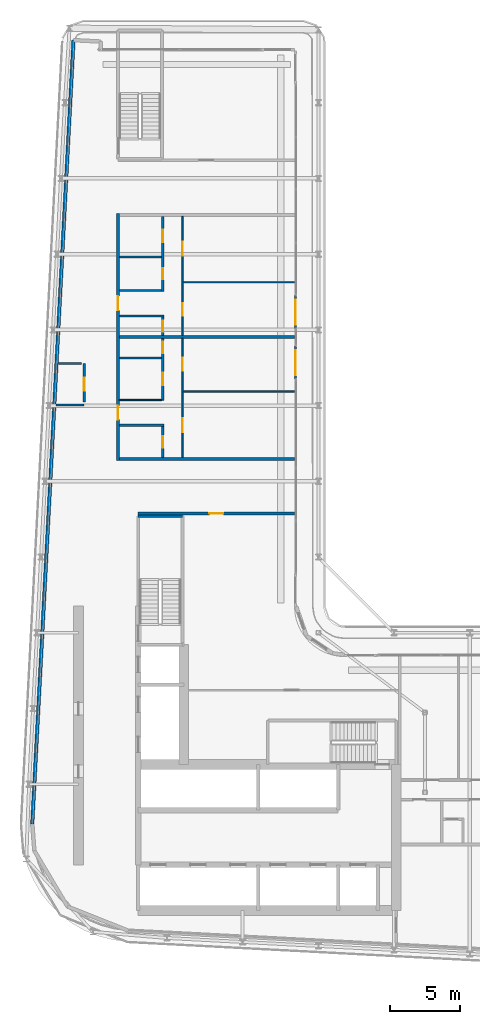
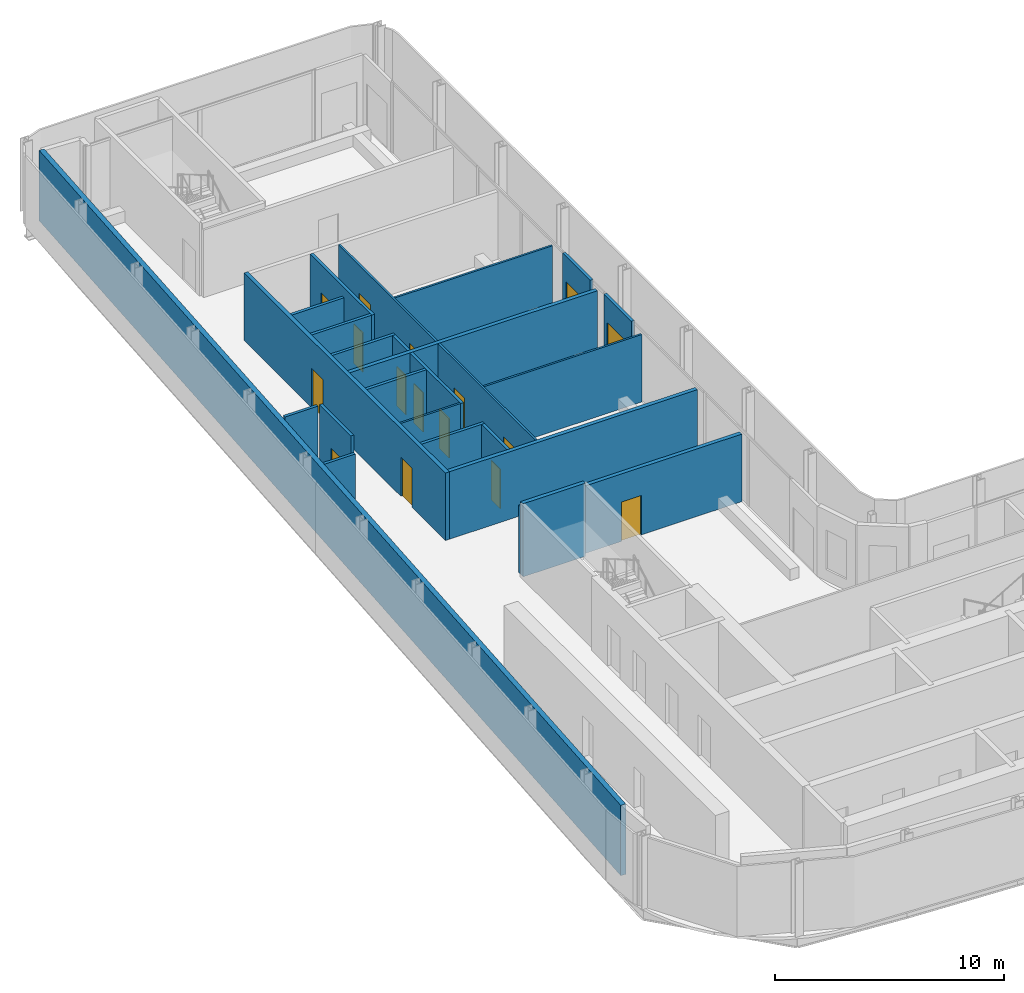
# One storey, part 13 of 21: 25 walls, 16 doors, 16 openings.
"""IFC4 building model written with IfcOpenShell, lengths in metres."""

from ifc_helpers import new_model, si_unit, direction, frame, frame_2d, origin, place, context, subcontext, project, spatial, rectangle, extrude, source, transform, mapped, material, layer, layer_set, type_object, element, fill, save


model = new_model("IFC4")

# Units and contexts
model_context = context("Model", 3, precision=1e-05, world=origin(), true_north=direction((0.0, 1.0)))
body_context = subcontext(model_context, "Body", "Model", "MODEL_VIEW")
ifc_project = project(units=[si_unit("LENGTHUNIT", "METRE"), si_unit("AREAUNIT", "SQUARE_METRE"), si_unit("VOLUMEUNIT", "CUBIC_METRE"), si_unit("PLANEANGLEUNIT", "RADIAN"), si_unit("MASSUNIT", "GRAM", prefix="KILO")], contexts=[model_context])

# Site, building, storey
site_placement = place(None, origin())
site = spatial("IfcSite", under=ifc_project, at=site_placement, CompositionType="ELEMENT")
building_placement = place(site_placement, origin())
building = spatial("IfcBuilding", under=site, at=building_placement, Name="Kheshtan School and Residences Tower", CompositionType="ELEMENT")
storey_placement = place(building_placement, frame((0.0, 0.0, 220.10009765625)))
storey = spatial("IfcBuildingStorey", under=building, at=storey_placement, Name="L51", CompositionType="ELEMENT", Elevation=220.10009765625)

# Wall, openings, doors
ifc_material_1 = material(Name="Gypsum board on steel studs with fire boards", Category="steel")
ifc_layer_1 = layer(ifc_material_1, 0.199951171875)
ifc_layer_set_1 = layer_set([ifc_layer_1], Name="Corridor wall 200")
wall_type_1 = type_object("IfcWallType", Name="Corridor wall 200", PredefinedType="PARTITIONING", material=ifc_layer_set_1)
wall_1_placement = place(storey_placement, frame((33.300048828125, 57.89990234375, 0.0), z_axis=(0.0, 0.0, 1.0), x_axis=(0.0, 1.0, 0.0)))
wall_1 = element("IfcWall", 1, at=wall_1_placement, inside=storey, type_object=wall_type_1, Name="Partition L51-001", PredefinedType="PARTITIONING", context=body_context, shape_type="SweptSolid", body=[
    extrude(rectangle(XDim=17.60009765625, YDim=0.199951171875, at=frame_2d((8.800048828125, 0.0))), origin(), (0.0, 0.0, 1.0), 3.599853515625),
])
opening_1_placement = place(wall_1_placement, frame((2.89990234375, 0.0, 0.0)))
opening_1 = element("IfcOpeningElement", 2, at=opening_1_placement, cuts=wall_1, Name="Opening D50-025", PredefinedType="OPENING", context=body_context, shape_type="SweptSolid", body=[
    extrude(rectangle(XDim=1.0, YDim=2.10009765625, at=frame_2d((0.5, 1.050048828125))), frame((0.0, 0.10986328125, 0.0), z_axis=(0.0, -1.0, 0.0), x_axis=(1.0, 0.0, 0.0)), (0.0, 0.0, 1.0), 0.219970703125),
])
opening_2_placement = place(wall_1_placement, frame((10.699951171875, 0.0, 0.0)))
opening_2 = element("IfcOpeningElement", 3, at=opening_2_placement, cuts=wall_1, Name="Opening D50-031", PredefinedType="OPENING", context=body_context, shape_type="SweptSolid", body=[
    extrude(rectangle(XDim=1.0, YDim=2.10009765625, at=frame_2d((0.5, 1.050048828125))), frame((0.0, 0.10986328125, 0.0), z_axis=(0.0, -1.0, 0.0), x_axis=(1.0, 0.0, 0.0)), (0.0, 0.0, 1.0), 0.219970703125),
])
ifc_material_2 = material(Name="Steel-framed fire-resisting door leaf", Category="steel")
door_type_1 = type_object("IfcDoorType", Name="Fire door FD30S 1000 x 2100", OperationType="SINGLE_SWING_LEFT", PredefinedType="DOOR", material=ifc_material_2)
shared_shape_1 = source(origin(), body_context, "Body", "SweptSolid", [
    extrude(rectangle(XDim=1.0, YDim=2.10009765625, at=frame_2d((0.5, 1.050048828125))), frame((0.0, 0.02490234375, 0.0), z_axis=(0.0, -1.0, 0.0), x_axis=(1.0, 0.0, 0.0)), (0.0, 0.0, 1.0), 0.050048828125),
])
door_1_placement = place(opening_1_placement, origin())
door_1 = element("IfcDoor", 4, at=door_1_placement, inside=storey, type_object=door_type_1, Name="Door D50-025", OperationType="SINGLE_SWING_RIGHT", OverallHeight=2.10009765625, OverallWidth=1.0, PredefinedType="DOOR", context=body_context, shape_type="MappedRepresentation", body=[
    mapped(shared_shape_1, transform((0.0, 0.0, 0.0), x_axis=(1.0, 0.0, 0.0), y_axis=(0.0, 1.0, 0.0), z_axis=(0.0, 0.0, 1.0), scale=1.0)),
])
fill(opening_1, door_1)
door_2_placement = place(opening_2_placement, origin())
door_2 = element("IfcDoor", 5, at=door_2_placement, inside=storey, type_object=door_type_1, Name="Door D50-031", OperationType="SINGLE_SWING_RIGHT", OverallHeight=2.10009765625, OverallWidth=1.0, PredefinedType="DOOR", context=body_context, shape_type="MappedRepresentation", body=[
    mapped(shared_shape_1, transform((0.0, 0.0, 0.0), x_axis=(1.0, 0.0, 0.0), y_axis=(0.0, 1.0, 0.0), z_axis=(0.0, 0.0, 1.0), scale=1.0)),
])
fill(opening_2, door_2)

# Wall
wall_2_placement = place(storey_placement, frame((33.39990234375, 58.0, 0.0), z_axis=(0.0, 0.0, 1.0), x_axis=(1.0, 0.0, 0.0)))
element("IfcWall", 6, at=wall_2_placement, inside=storey, type_object=wall_type_1, Name="Partition L51-003", PredefinedType="PARTITIONING", context=body_context, shape_type="SweptSolid", body=[
    extrude(rectangle(XDim=12.5, YDim=0.199951171875, at=frame_2d((6.25, 0.0))), origin(), (0.0, 0.0, 1.0), 3.599853515625),
])

# Wall, opening, door
wall_3_placement = place(storey_placement, frame((34.75, 54.10009765625, 0.0), z_axis=(0.0, 0.0, 1.0), x_axis=(1.0, 0.0, 0.0)))
wall_3 = element("IfcWall", 7, at=wall_3_placement, inside=storey, type_object=wall_type_1, Name="Partition L51-012", PredefinedType="PARTITIONING", context=body_context, shape_type="SweptSolid", body=[
    extrude(rectangle(XDim=11.14990234375, YDim=0.199951171875, at=frame_2d((5.574951171875, 0.0))), origin(), (0.0, 0.0, 1.0), 3.599853515625),
])
opening_3_placement = place(wall_3_placement, frame((5.074951171875, 0.0, 0.0)))
opening_3 = element("IfcOpeningElement", 8, at=opening_3_placement, cuts=wall_3, Name="Opening D50-037", PredefinedType="OPENING", context=body_context, shape_type="SweptSolid", body=[
    extrude(rectangle(XDim=1.0, YDim=2.10009765625, at=frame_2d((0.5, 1.050048828125))), frame((0.0, 0.10986328125, 0.0), z_axis=(0.0, -1.0, 0.0), x_axis=(1.0, 0.0, 0.0)), (0.0, 0.0, 1.0), 0.219970703125),
])
door_type_2 = type_object("IfcDoorType", Name="Fire door FD60 1000 x 2100", OperationType="SINGLE_SWING_LEFT", PredefinedType="DOOR", material=ifc_material_2)
shared_shape_2 = source(origin(), body_context, "Body", "SweptSolid", [
    extrude(rectangle(XDim=1.0, YDim=2.10009765625, at=frame_2d((0.5, 1.050048828125))), frame((0.0, 0.02490234375, 0.0), z_axis=(0.0, -1.0, 0.0), x_axis=(1.0, 0.0, 0.0)), (0.0, 0.0, 1.0), 0.050048828125),
])
door_3_placement = place(opening_3_placement, origin())
door_3 = element("IfcDoor", 9, at=door_3_placement, inside=storey, type_object=door_type_2, Name="Door D50-037", OperationType="SINGLE_SWING_RIGHT", OverallHeight=2.10009765625, OverallWidth=1.0, PredefinedType="DOOR", context=body_context, shape_type="MappedRepresentation", body=[
    mapped(shared_shape_2, transform((0.0, 0.0, 0.0), x_axis=(1.0, 0.0, 0.0), y_axis=(0.0, 1.0, 0.0), z_axis=(0.0, 0.0, 1.0), scale=1.0)),
])
fill(opening_3, door_3)

# Wall
ifc_material_3 = material(Name="Concrete C40/50 with ceramic cladding and mineral wool insulation", Category="concrete")
ifc_layer_2 = layer(ifc_material_3, 0.25)
ifc_layer_set_2 = layer_set([ifc_layer_2], Name="External wall 250 ceramic clad")
wall_type_2 = type_object("IfcWallType", Name="External wall 250 ceramic clad", PredefinedType="SOLIDWALL", material=ifc_layer_set_2)
wall_4_placement = place(storey_placement, frame((27.195068359375, 31.968994140625, 0.0), z_axis=(0.0, 0.0, 1.0), x_axis=(0.052559748861, 0.998617781135, 0.0)))
element("IfcWall", 10, at=wall_4_placement, inside=storey, type_object=wall_type_2, Name="External wall L51 16", PredefinedType="SOLIDWALL", context=body_context, shape_type="SweptSolid", body=[
    extrude(rectangle(XDim=55.972412109375, YDim=0.25, at=frame_2d((27.986328125, 0.0))), origin(), (0.0, 0.0, 1.0), 3.75),
])

# Wall, opening, door
ifc_material_4 = material(Name="Aluminium frame wall with insulated infill", Category="aluminium")
ifc_layer_3 = layer(ifc_material_4, 0.14990234375)
ifc_layer_set_3 = layer_set([ifc_layer_3], Name="Glazing frame wall 150")
wall_type_3 = type_object("IfcWallType", Name="Glazing frame wall 150", PredefinedType="SOLIDWALL", material=ifc_layer_set_3)
wall_5_placement = place(storey_placement, frame((45.97509765625, 69.6650390625, 0.0), z_axis=(0.0, 0.0, 1.0), x_axis=(0.0, -1.0, 0.0)))
wall_5 = element("IfcWall", 11, at=wall_5_placement, inside=storey, type_object=wall_type_3, Name="Balcony door wall L51 4.2", PredefinedType="SOLIDWALL", context=body_context, shape_type="SweptSolid", body=[
    extrude(rectangle(XDim=2.400146484375, YDim=0.14990234375, at=frame_2d((1.2001953125, 0.0))), origin(), (0.0, 0.0, 1.0), 3.75),
])
opening_4_placement = place(wall_5_placement, frame((0.300048828125, 0.0, 0.0)))
opening_4 = element("IfcOpeningElement", 12, at=opening_4_placement, cuts=wall_5, Name="Opening BD", PredefinedType="OPENING", context=body_context, shape_type="SweptSolid", body=[
    extrude(rectangle(XDim=1.800048828125, YDim=2.39990234375, at=frame_2d((0.89990234375, 1.199951171875))), frame((0.0, 0.0849609375, 0.0), z_axis=(0.0, -1.0, 0.0), x_axis=(1.0, 0.0, 0.0)), (0.0, 0.0, 1.0), 0.169921875),
])
ifc_material_5 = material(Name="Clear low-e glass in thermally broken aluminium frame", Category="aluminium")
door_type_3 = type_object("IfcDoorType", Name="Balcony sliding door", OperationType="SLIDING_TO_LEFT", PredefinedType="DOOR", material=ifc_material_5)
shared_shape_3 = source(origin(), body_context, "Body", "SweptSolid", [
    extrude(rectangle(XDim=1.800048828125, YDim=2.39990234375, at=frame_2d((0.89990234375, 1.199951171875))), frame((0.0, 0.02490234375, 0.0), z_axis=(0.0, -1.0, 0.0), x_axis=(1.0, 0.0, 0.0)), (0.0, 0.0, 1.0), 0.050048828125),
])
door_4_placement = place(opening_4_placement, origin())
door_4 = element("IfcDoor", 13, at=door_4_placement, inside=storey, type_object=door_type_3, Name="Balcony door L51 4.2", OperationType="SLIDING_TO_LEFT", OverallHeight=2.39990234375, OverallWidth=1.800048828125, PredefinedType="DOOR", context=body_context, shape_type="MappedRepresentation", body=[
    mapped(shared_shape_3, transform((0.0, 0.0, 0.0), x_axis=(1.0, 0.0, 0.0), y_axis=(0.0, 1.0, 0.0), z_axis=(0.0, 0.0, 1.0), scale=1.0)),
])
fill(opening_4, door_4)

wall_6_placement = place(storey_placement, frame((45.97509765625, 66.06494140625, 0.0), z_axis=(0.0, 0.0, 1.0), x_axis=(0.0, -1.0, 0.0)))
wall_6 = element("IfcWall", 14, at=wall_6_placement, inside=storey, type_object=wall_type_3, Name="Balcony door wall L51 4.3", PredefinedType="SOLIDWALL", context=body_context, shape_type="SweptSolid", body=[
    extrude(rectangle(XDim=2.39990234375, YDim=0.14990234375, at=frame_2d((1.199951171875, 0.0))), origin(), (0.0, 0.0, 1.0), 3.75),
])
opening_5_placement = place(wall_6_placement, frame((0.300048828125, 0.0, 0.0)))
opening_5 = element("IfcOpeningElement", 15, at=opening_5_placement, cuts=wall_6, Name="Opening BD", PredefinedType="OPENING", context=body_context, shape_type="SweptSolid", body=[
    extrude(rectangle(XDim=1.800048828125, YDim=2.39990234375, at=frame_2d((0.89990234375, 1.199951171875))), frame((0.0, 0.0849609375, 0.0), z_axis=(0.0, -1.0, 0.0), x_axis=(1.0, 0.0, 0.0)), (0.0, 0.0, 1.0), 0.169921875),
])
door_5_placement = place(opening_5_placement, origin())
door_5 = element("IfcDoor", 16, at=door_5_placement, inside=storey, type_object=door_type_3, Name="Balcony door L51 4.3", OperationType="SLIDING_TO_LEFT", OverallHeight=2.39990234375, OverallWidth=1.800048828125, PredefinedType="DOOR", context=body_context, shape_type="MappedRepresentation", body=[
    mapped(shared_shape_3, transform((0.0, 0.0, 0.0), x_axis=(1.0, 0.0, 0.0), y_axis=(0.0, 1.0, 0.0), z_axis=(0.0, 0.0, 1.0), scale=1.0)),
])
fill(opening_5, door_5)

# Wall
ifc_material_6 = material(Name="Gypsum board on steel studs", Category="steel")
ifc_layer_4 = layer(ifc_material_6, 0.10009765625)
ifc_layer_set_4 = layer_set([ifc_layer_4], Name="Gypsum partition 100")
wall_type_4 = type_object("IfcWallType", Name="Gypsum partition 100", PredefinedType="PARTITIONING", material=ifc_layer_set_4)
wall_7_placement = place(storey_placement, frame((33.39990234375, 62.199951171875, 0.0), z_axis=(0.0, 0.0, 1.0), x_axis=(1.0, 0.0, 0.0)))
element("IfcWall", 17, at=wall_7_placement, inside=storey, type_object=wall_type_4, Name="Partition L51-005", PredefinedType="PARTITIONING", context=body_context, shape_type="SweptSolid", body=[
    extrude(rectangle(XDim=3.025146484375, YDim=0.10009765625, at=frame_2d((1.5126953125, 0.0))), origin(), (0.0, 0.0, 1.0), 3.599853515625),
])

# Wall, openings, doors
wall_8_placement = place(storey_placement, frame((37.89990234375, 58.10009765625, 0.0), z_axis=(0.0, 0.0, 1.0), x_axis=(0.0, 1.0, 0.0)))
wall_8 = element("IfcWall", 18, at=wall_8_placement, inside=storey, type_object=wall_type_4, Name="Partition L51-017", PredefinedType="PARTITIONING", context=body_context, shape_type="SweptSolid", body=[
    extrude(rectangle(XDim=8.5, YDim=0.10009765625, at=frame_2d((4.25, 0.0))), origin(), (0.0, 0.0, 1.0), 3.599853515625),
])
opening_6_placement = place(wall_8_placement, frame((6.199951171875, 0.0, 0.0)))
opening_6 = element("IfcOpeningElement", 19, at=opening_6_placement, cuts=wall_8, Name="Opening D50-024", PredefinedType="OPENING", context=body_context, shape_type="SweptSolid", body=[
    extrude(rectangle(XDim=0.89990234375, YDim=2.10009765625, at=frame_2d((0.449951171875, 1.050048828125))), frame((0.0, 0.06005859375, 0.0), z_axis=(0.0, -1.0, 0.0), x_axis=(1.0, 0.0, 0.0)), (0.0, 0.0, 1.0), 0.1201171875),
])
opening_7_placement = place(wall_8_placement, frame((1.800048828125, 0.0, 0.0)))
opening_7 = element("IfcOpeningElement", 20, at=opening_7_placement, cuts=wall_8, Name="Opening D50-027", PredefinedType="OPENING", context=body_context, shape_type="SweptSolid", body=[
    extrude(rectangle(XDim=1.0, YDim=2.10009765625, at=frame_2d((0.5, 1.050048828125))), frame((0.0, 0.06005859375, 0.0), z_axis=(0.0, -1.0, 0.0), x_axis=(1.0, 0.0, 0.0)), (0.0, 0.0, 1.0), 0.1201171875),
])
ifc_material_7 = material(Name="Veneered timber door leaf", Category="wood")
door_type_4 = type_object("IfcDoorType", Name="Door 1000 x 2100", OperationType="SINGLE_SWING_LEFT", PredefinedType="DOOR", material=ifc_material_7)
shared_shape_4 = source(origin(), body_context, "Body", "SweptSolid", [
    extrude(rectangle(XDim=1.0, YDim=2.10009765625, at=frame_2d((0.5, 1.050048828125))), frame((0.0, 0.02490234375, 0.0), z_axis=(0.0, -1.0, 0.0), x_axis=(1.0, 0.0, 0.0)), (0.0, 0.0, 1.0), 0.050048828125),
])
door_6_placement = place(opening_7_placement, origin())
door_6 = element("IfcDoor", 21, at=door_6_placement, inside=storey, type_object=door_type_4, Name="Door D50-027", OperationType="SINGLE_SWING_RIGHT", OverallHeight=2.10009765625, OverallWidth=1.0, PredefinedType="DOOR", context=body_context, shape_type="MappedRepresentation", body=[
    mapped(shared_shape_4, transform((0.0, 0.0, 0.0), x_axis=(1.0, 0.0, 0.0), y_axis=(0.0, 1.0, 0.0), z_axis=(0.0, 0.0, 1.0), scale=1.0)),
])
fill(opening_7, door_6)
door_type_5 = type_object("IfcDoorType", Name="Door 900 x 2100", OperationType="SINGLE_SWING_LEFT", PredefinedType="DOOR", material=ifc_material_7)
shared_shape_5 = source(origin(), body_context, "Body", "SweptSolid", [
    extrude(rectangle(XDim=0.89990234375, YDim=2.10009765625, at=frame_2d((0.449951171875, 1.050048828125))), frame((0.0, 0.02490234375, 0.0), z_axis=(0.0, -1.0, 0.0), x_axis=(1.0, 0.0, 0.0)), (0.0, 0.0, 1.0), 0.050048828125),
])
door_7_placement = place(opening_6_placement, origin())
door_7 = element("IfcDoor", 22, at=door_7_placement, inside=storey, type_object=door_type_5, Name="Door D50-024", OperationType="SINGLE_SWING_RIGHT", OverallHeight=2.10009765625, OverallWidth=0.89990234375, PredefinedType="DOOR", context=body_context, shape_type="MappedRepresentation", body=[
    mapped(shared_shape_5, transform((0.0, 0.0, 0.0), x_axis=(1.0, 0.0, 0.0), y_axis=(0.0, 1.0, 0.0), z_axis=(0.0, 0.0, 1.0), scale=1.0)),
])
fill(opening_6, door_7)

wall_9_placement = place(storey_placement, frame((37.89990234375, 66.800048828125, 0.0), z_axis=(0.0, 0.0, 1.0), x_axis=(0.0, 1.0, 0.0)))
wall_9 = element("IfcWall", 23, at=wall_9_placement, inside=storey, type_object=wall_type_4, Name="Partition L51-018", PredefinedType="PARTITIONING", context=body_context, shape_type="SweptSolid", body=[
    extrude(rectangle(XDim=8.5, YDim=0.10009765625, at=frame_2d((4.25, 0.0))), origin(), (0.0, 0.0, 1.0), 3.599853515625),
])
opening_8_placement = place(wall_9_placement, frame((1.39990234375, 0.0, 0.0)))
opening_8 = element("IfcOpeningElement", 24, at=opening_8_placement, cuts=wall_9, Name="Opening D50-030", PredefinedType="OPENING", context=body_context, shape_type="SweptSolid", body=[
    extrude(rectangle(XDim=0.89990234375, YDim=2.10009765625, at=frame_2d((0.449951171875, 1.050048828125))), frame((0.0, 0.06005859375, 0.0), z_axis=(0.0, -1.0, 0.0), x_axis=(1.0, 0.0, 0.0)), (0.0, 0.0, 1.0), 0.1201171875),
])
opening_9_placement = place(wall_9_placement, frame((5.699951171875, 0.0, 0.0)))
opening_9 = element("IfcOpeningElement", 25, at=opening_9_placement, cuts=wall_9, Name="Opening D50-033", PredefinedType="OPENING", context=body_context, shape_type="SweptSolid", body=[
    extrude(rectangle(XDim=1.0, YDim=2.10009765625, at=frame_2d((0.5, 1.050048828125))), frame((0.0, 0.06005859375, 0.0), z_axis=(0.0, -1.0, 0.0), x_axis=(1.0, 0.0, 0.0)), (0.0, 0.0, 1.0), 0.1201171875),
])
door_8_placement = place(opening_9_placement, origin())
door_8 = element("IfcDoor", 26, at=door_8_placement, inside=storey, type_object=door_type_4, Name="Door D50-033", OperationType="SINGLE_SWING_LEFT", OverallHeight=2.10009765625, OverallWidth=1.0, PredefinedType="DOOR", context=body_context, shape_type="MappedRepresentation", body=[
    mapped(shared_shape_4, transform((0.0, 0.0, 0.0), x_axis=(1.0, 0.0, 0.0), y_axis=(0.0, 1.0, 0.0), z_axis=(0.0, 0.0, 1.0), scale=1.0)),
])
fill(opening_9, door_8)
door_9_placement = place(opening_8_placement, origin())
door_9 = element("IfcDoor", 27, at=door_9_placement, inside=storey, type_object=door_type_5, Name="Door D50-030", OperationType="SINGLE_SWING_LEFT", OverallHeight=2.10009765625, OverallWidth=0.89990234375, PredefinedType="DOOR", context=body_context, shape_type="MappedRepresentation", body=[
    mapped(shared_shape_5, transform((0.0, 0.0, 0.0), x_axis=(1.0, 0.0, 0.0), y_axis=(0.0, 1.0, 0.0), z_axis=(0.0, 0.0, 1.0), scale=1.0)),
])
fill(opening_8, door_9)

# Walls
for number, where, z_axis, x_axis, name in (
    (28, (37.949951171875, 62.800048828125, 0.0), (0.0, 0.0, 1.0), (1.0, 0.0, 0.0), "Partition L51-019"),
    (29, (37.949951171875, 70.60009765625, 0.0), (0.0, 0.0, 1.0), (1.0, 0.0, 0.0), "Partition L51-020"),
):
    element("IfcWall", number, at=place(storey_placement, frame(where, z_axis=z_axis, x_axis=x_axis)), inside=storey, type_object=wall_type_4, Name=name, PredefinedType="PARTITIONING", context=body_context, shape_type="SweptSolid", body=[
        extrude(rectangle(XDim=7.949951171875, YDim=0.10009765625, at=frame_2d((3.97509765625, 0.0))), origin(), (0.0, 0.0, 1.0), 3.599853515625),
    ])
ifc_material_8 = material(Name="Fire-board shaft wall system")
ifc_layer_5 = layer(ifc_material_8, 0.14990234375)
ifc_layer_set_5 = layer_set([ifc_layer_5], Name="Service room wall 150")
wall_type_5 = type_object("IfcWallType", Name="Service room wall 150", PredefinedType="PARTITIONING", material=ifc_layer_set_5)
wall_10_placement = place(storey_placement, frame((28.89599609375, 61.85107421875, 0.0), z_axis=(0.0, 0.0, 1.0), x_axis=(1.0, 0.0, 0.0)))
element("IfcWall", 30, at=wall_10_placement, inside=storey, type_object=wall_type_5, Name="Service room wall", PredefinedType="PARTITIONING", context=body_context, shape_type="SweptSolid", body=[
    extrude(rectangle(XDim=2.00390625, YDim=0.14990234375, at=frame_2d((1.001953125, 0.0))), origin(), (0.0, 0.0, 1.0), 3.072021484375),
])

# Wall, opening, door
wall_11_placement = place(storey_placement, frame((30.89990234375, 62.0458984375, 0.0), z_axis=(0.0, 0.0, 1.0), x_axis=(0.0, 1.0, 0.0)))
wall_11 = element("IfcWall", 31, at=wall_11_placement, inside=storey, type_object=wall_type_5, Name="Service room wall", PredefinedType="PARTITIONING", context=body_context, shape_type="SweptSolid", body=[
    extrude(rectangle(XDim=2.754150390625, YDim=0.14990234375, at=frame_2d((1.376953125, 0.0))), origin(), (0.0, 0.0, 1.0), 3.89990234375),
])
opening_10_placement = place(wall_11_placement, frame((0.830078125, 0.0, 0.0)))
opening_10 = element("IfcOpeningElement", 32, at=opening_10_placement, cuts=wall_11, Name="Opening SR90", PredefinedType="OPENING", context=body_context, shape_type="SweptSolid", body=[
    extrude(rectangle(XDim=0.89990234375, YDim=2.199951171875, at=frame_2d((0.449951171875, 1.10009765625))), frame((0.0, 0.0849609375, 0.0), z_axis=(0.0, -1.0, 0.0), x_axis=(1.0, 0.0, 0.0)), (0.0, 0.0, 1.0), 0.169921875),
])
ifc_material_9 = material(Name="Steel door leaf, galvanised", Category="steel")
door_type_6 = type_object("IfcDoorType", Name="Service room door 900 steel 90 min", OperationType="SINGLE_SWING_LEFT", PredefinedType="DOOR", material=ifc_material_9)
shared_shape_6 = source(origin(), body_context, "Body", "SweptSolid", [
    extrude(rectangle(XDim=0.89990234375, YDim=2.199951171875, at=frame_2d((0.449951171875, 1.10009765625))), frame((0.0, 0.02490234375, 0.0), z_axis=(0.0, -1.0, 0.0), x_axis=(1.0, 0.0, 0.0)), (0.0, 0.0, 1.0), 0.050048828125),
])
door_10_placement = place(opening_10_placement, origin())
door_10 = element("IfcDoor", 33, at=door_10_placement, inside=storey, type_object=door_type_6, Name="Service room door", OperationType="SINGLE_SWING_LEFT", OverallHeight=2.199951171875, OverallWidth=0.89990234375, PredefinedType="DOOR", context=body_context, shape_type="MappedRepresentation", body=[
    mapped(shared_shape_6, transform((0.0, 0.0, 0.0), x_axis=(1.0, 0.0, 0.0), y_axis=(0.0, 1.0, 0.0), z_axis=(0.0, 0.0, 1.0), scale=1.0)),
])
fill(opening_10, door_10)

# Walls
wall_12_placement = place(storey_placement, frame((29.051025390625, 64.800048828125, 0.0), z_axis=(0.0, 0.0, 1.0), x_axis=(1.0, 0.0, 0.0)))
element("IfcWall", 34, at=wall_12_placement, inside=storey, type_object=wall_type_5, Name="Service room wall", PredefinedType="PARTITIONING", context=body_context, shape_type="SweptSolid", body=[
    extrude(rectangle(XDim=1.654052734375, YDim=0.14990234375, at=frame_2d((0.8271484375, 0.0))), origin(), (0.0, 0.0, 1.0), 3.89990234375),
])
ifc_material_10 = material(Name="Concrete C40/50", Category="concrete")
ifc_layer_6 = layer(ifc_material_10, 0.199951171875)
ifc_layer_set_6 = layer_set([ifc_layer_6], Name="Stair enclosure wall 200 Concrete C40/50")
wall_type_6 = type_object("IfcWallType", Name="Stair enclosure wall 200 Concrete C40/50", PredefinedType="SHEAR", material=ifc_layer_set_6)
wall_13_placement = place(storey_placement, frame((34.75, 53.909912109375, 0.0), z_axis=(0.0, 0.0, 1.0), x_axis=(1.0, 0.0, 0.0)))
element("IfcWall", 35, at=wall_13_placement, inside=storey, type_object=wall_type_6, Name="Stair enclosure wall ST2", PredefinedType="SHEAR", context=body_context, shape_type="SweptSolid", body=[
    extrude(rectangle(XDim=3.14990234375, YDim=0.199951171875, at=frame_2d((1.574951171875, 0.0))), origin(), (0.0, 0.0, 1.0), 3.89990234375),
])
ifc_material_11 = material(Name="Twin gypsum board on steel studs with mineral wool", Category="steel")
ifc_layer_7 = layer(ifc_material_11, 0.199951171875)
ifc_layer_set_7 = layer_set([ifc_layer_7], Name="Unit demising wall 200")
wall_type_7 = type_object("IfcWallType", Name="Unit demising wall 200", PredefinedType="PARTITIONING", material=ifc_layer_set_7)
wall_14_placement = place(storey_placement, frame((33.39990234375, 66.699951171875, 0.0), z_axis=(0.0, 0.0, 1.0), x_axis=(1.0, 0.0, 0.0)))
element("IfcWall", 36, at=wall_14_placement, inside=storey, type_object=wall_type_7, Name="Partition L51-007", PredefinedType="PARTITIONING", context=body_context, shape_type="SweptSolid", body=[
    extrude(rectangle(XDim=12.5, YDim=0.199951171875, at=frame_2d((6.25, 0.0))), origin(), (0.0, 0.0, 1.0), 3.599853515625),
])
ifc_material_12 = material(Name="Moisture-resistant gypsum board on steel studs", Category="steel")
ifc_layer_8 = layer(ifc_material_12, 0.14990234375)
ifc_layer_set_8 = layer_set([ifc_layer_8], Name="Wet-room partition 150")
wall_type_8 = type_object("IfcWallType", Name="Wet-room partition 150", PredefinedType="PARTITIONING", material=ifc_layer_set_8)
wall_15_placement = place(storey_placement, frame((33.39990234375, 60.39990234375, 0.0), z_axis=(0.0, 0.0, 1.0), x_axis=(1.0, 0.0, 0.0)))
element("IfcWall", 37, at=wall_15_placement, inside=storey, type_object=wall_type_8, Name="Partition L51-004", PredefinedType="PARTITIONING", context=body_context, shape_type="SweptSolid", body=[
    extrude(rectangle(XDim=3.175048828125, YDim=0.14990234375, at=frame_2d((1.58740234375, 0.0))), origin(), (0.0, 0.0, 1.0), 3.599853515625),
])
wall_16_placement = place(storey_placement, frame((33.39990234375, 65.199951171875, 0.0), z_axis=(0.0, 0.0, 1.0), x_axis=(1.0, 0.0, 0.0)))
element("IfcWall", 38, at=wall_16_placement, inside=storey, type_object=wall_type_8, Name="Partition L51-006", PredefinedType="PARTITIONING", context=body_context, shape_type="SweptSolid", body=[
    extrude(rectangle(XDim=3.025146484375, YDim=0.14990234375, at=frame_2d((1.5126953125, 0.0))), origin(), (0.0, 0.0, 1.0), 3.599853515625),
])
wall_17_placement = place(storey_placement, frame((33.39990234375, 68.199951171875, 0.0), z_axis=(0.0, 0.0, 1.0), x_axis=(1.0, 0.0, 0.0)))
element("IfcWall", 39, at=wall_17_placement, inside=storey, type_object=wall_type_8, Name="Partition L51-008", PredefinedType="PARTITIONING", context=body_context, shape_type="SweptSolid", body=[
    extrude(rectangle(XDim=3.175048828125, YDim=0.14990234375, at=frame_2d((1.58740234375, 0.0))), origin(), (0.0, 0.0, 1.0), 3.599853515625),
])
wall_18_placement = place(storey_placement, frame((33.39990234375, 70.0, 0.0), z_axis=(0.0, 0.0, 1.0), x_axis=(1.0, 0.0, 0.0)))
element("IfcWall", 40, at=wall_18_placement, inside=storey, type_object=wall_type_8, Name="Partition L51-009", PredefinedType="PARTITIONING", context=body_context, shape_type="SweptSolid", body=[
    extrude(rectangle(XDim=3.025146484375, YDim=0.14990234375, at=frame_2d((1.5126953125, 0.0))), origin(), (0.0, 0.0, 1.0), 3.599853515625),
])
wall_19_placement = place(storey_placement, frame((33.39990234375, 72.39990234375, 0.0), z_axis=(0.0, 0.0, 1.0), x_axis=(1.0, 0.0, 0.0)))
element("IfcWall", 41, at=wall_19_placement, inside=storey, type_object=wall_type_8, Name="Partition L51-010", PredefinedType="PARTITIONING", context=body_context, shape_type="SweptSolid", body=[
    extrude(rectangle(XDim=3.025146484375, YDim=0.14990234375, at=frame_2d((1.5126953125, 0.0))), origin(), (0.0, 0.0, 1.0), 3.072021484375),
])

# Wall, opening, door
wall_20_placement = place(storey_placement, frame((36.5, 58.10009765625, 0.0), z_axis=(0.0, 0.0, 1.0), x_axis=(0.0, 1.0, 0.0)))
wall_20 = element("IfcWall", 42, at=wall_20_placement, inside=storey, type_object=wall_type_8, Name="Partition L51-013", PredefinedType="PARTITIONING", context=body_context, shape_type="SweptSolid", body=[
    extrude(rectangle(XDim=2.224853515625, YDim=0.14990234375, at=frame_2d((1.1123046875, 0.0))), origin(), (0.0, 0.0, 1.0), 3.599853515625),
])
opening_11_placement = place(wall_20_placement, frame((0.699951171875, 0.0, 0.0)))
opening_11 = element("IfcOpeningElement", 43, at=opening_11_placement, cuts=wall_20, Name="Opening D50-023", PredefinedType="OPENING", context=body_context, shape_type="SweptSolid", body=[
    extrude(rectangle(XDim=0.800048828125, YDim=2.10009765625, at=frame_2d((0.39990234375, 1.050048828125))), frame((0.0, 0.0849609375, 0.0), z_axis=(0.0, -1.0, 0.0), x_axis=(1.0, 0.0, 0.0)), (0.0, 0.0, 1.0), 0.169921875),
])
door_type_7 = type_object("IfcDoorType", Name="Door 800 x 2100", OperationType="SINGLE_SWING_LEFT", PredefinedType="DOOR", material=ifc_material_7)
shared_shape_7 = source(origin(), body_context, "Body", "SweptSolid", [
    extrude(rectangle(XDim=0.800048828125, YDim=2.10009765625, at=frame_2d((0.39990234375, 1.050048828125))), frame((0.0, 0.02490234375, 0.0), z_axis=(0.0, -1.0, 0.0), x_axis=(1.0, 0.0, 0.0)), (0.0, 0.0, 1.0), 0.050048828125),
])
door_11_placement = place(opening_11_placement, origin())
door_11 = element("IfcDoor", 44, at=door_11_placement, inside=storey, type_object=door_type_7, Name="Door D50-023", OperationType="SINGLE_SWING_LEFT", OverallHeight=2.10009765625, OverallWidth=0.800048828125, PredefinedType="DOOR", context=body_context, shape_type="MappedRepresentation", body=[
    mapped(shared_shape_7, transform((0.0, 0.0, 0.0), x_axis=(1.0, 0.0, 0.0), y_axis=(0.0, 1.0, 0.0), z_axis=(0.0, 0.0, 1.0), scale=1.0)),
])
fill(opening_11, door_11)

# Wall, openings, doors
wall_21_placement = place(storey_placement, frame((36.5, 62.14990234375, 0.0), z_axis=(0.0, 0.0, 1.0), x_axis=(0.0, 1.0, 0.0)))
wall_21 = element("IfcWall", 45, at=wall_21_placement, inside=storey, type_object=wall_type_8, Name="Partition L51-014", PredefinedType="PARTITIONING", context=body_context, shape_type="SweptSolid", body=[
    extrude(rectangle(XDim=4.4501953125, YDim=0.14990234375, at=frame_2d((2.22509765625, 0.0))), origin(), (0.0, 0.0, 1.0), 3.599853515625),
])
opening_12_placement = place(wall_21_placement, frame((1.10009765625, 0.0, 0.0)))
opening_12 = element("IfcOpeningElement", 46, at=opening_12_placement, cuts=wall_21, Name="Opening D50-026", PredefinedType="OPENING", context=body_context, shape_type="SweptSolid", body=[
    extrude(rectangle(XDim=0.89990234375, YDim=2.10009765625, at=frame_2d((0.449951171875, 1.050048828125))), frame((0.0, 0.0849609375, 0.0), z_axis=(0.0, -1.0, 0.0), x_axis=(1.0, 0.0, 0.0)), (0.0, 0.0, 1.0), 0.169921875),
])
opening_13_placement = place(wall_21_placement, frame((3.39990234375, 0.0, 0.0)))
opening_13 = element("IfcOpeningElement", 47, at=opening_13_placement, cuts=wall_21, Name="Opening D50-028", PredefinedType="OPENING", context=body_context, shape_type="SweptSolid", body=[
    extrude(rectangle(XDim=0.800048828125, YDim=2.10009765625, at=frame_2d((0.39990234375, 1.050048828125))), frame((0.0, 0.0849609375, 0.0), z_axis=(0.0, -1.0, 0.0), x_axis=(1.0, 0.0, 0.0)), (0.0, 0.0, 1.0), 0.169921875),
])
door_12_placement = place(opening_13_placement, origin())
door_12 = element("IfcDoor", 48, at=door_12_placement, inside=storey, type_object=door_type_7, Name="Door D50-028", OperationType="SINGLE_SWING_RIGHT", OverallHeight=2.10009765625, OverallWidth=0.800048828125, PredefinedType="DOOR", context=body_context, shape_type="MappedRepresentation", body=[
    mapped(shared_shape_7, transform((0.0, 0.0, 0.0), x_axis=(1.0, 0.0, 0.0), y_axis=(0.0, 1.0, 0.0), z_axis=(0.0, 0.0, 1.0), scale=1.0)),
])
fill(opening_13, door_12)
door_13_placement = place(opening_12_placement, origin())
door_13 = element("IfcDoor", 49, at=door_13_placement, inside=storey, type_object=door_type_5, Name="Door D50-026", OperationType="SINGLE_SWING_LEFT", OverallHeight=2.10009765625, OverallWidth=0.89990234375, PredefinedType="DOOR", context=body_context, shape_type="MappedRepresentation", body=[
    mapped(shared_shape_5, transform((0.0, 0.0, 0.0), x_axis=(1.0, 0.0, 0.0), y_axis=(0.0, 1.0, 0.0), z_axis=(0.0, 0.0, 1.0), scale=1.0)),
])
fill(opening_12, door_13)

# Wall, opening, door
wall_22_placement = place(storey_placement, frame((36.5, 66.800048828125, 0.0), z_axis=(0.0, 0.0, 1.0), x_axis=(0.0, 1.0, 0.0)))
wall_22 = element("IfcWall", 50, at=wall_22_placement, inside=storey, type_object=wall_type_8, Name="Partition L51-015", PredefinedType="PARTITIONING", context=body_context, shape_type="SweptSolid", body=[
    extrude(rectangle(XDim=1.324951171875, YDim=0.14990234375, at=frame_2d((0.66259765625, 0.0))), origin(), (0.0, 0.0, 1.0), 3.599853515625),
])
opening_14_placement = place(wall_22_placement, frame((0.25, 0.0, 0.0)))
opening_14 = element("IfcOpeningElement", 51, at=opening_14_placement, cuts=wall_22, Name="Opening D50-034", PredefinedType="OPENING", context=body_context, shape_type="SweptSolid", body=[
    extrude(rectangle(XDim=0.800048828125, YDim=2.10009765625, at=frame_2d((0.39990234375, 1.050048828125))), frame((0.0, 0.0849609375, 0.0), z_axis=(0.0, -1.0, 0.0), x_axis=(1.0, 0.0, 0.0)), (0.0, 0.0, 1.0), 0.169921875),
])
door_14_placement = place(opening_14_placement, origin())
door_14 = element("IfcDoor", 52, at=door_14_placement, inside=storey, type_object=door_type_7, Name="Door D50-034", OperationType="SINGLE_SWING_RIGHT", OverallHeight=2.10009765625, OverallWidth=0.800048828125, PredefinedType="DOOR", context=body_context, shape_type="MappedRepresentation", body=[
    mapped(shared_shape_7, transform((0.0, 0.0, 0.0), x_axis=(1.0, 0.0, 0.0), y_axis=(0.0, 1.0, 0.0), z_axis=(0.0, 0.0, 1.0), scale=1.0)),
])
fill(opening_14, door_14)

# Wall, openings, doors
wall_23_placement = place(storey_placement, frame((36.5, 69.925048828125, 0.0), z_axis=(0.0, 0.0, 1.0), x_axis=(0.0, 1.0, 0.0)))
wall_23 = element("IfcWall", 53, at=wall_23_placement, inside=storey, type_object=wall_type_8, Name="Partition L51-016", PredefinedType="PARTITIONING", context=body_context, shape_type="SweptSolid", body=[
    extrude(rectangle(XDim=5.375, YDim=0.14990234375, at=frame_2d((2.6875, 0.0))), origin(), (0.0, 0.0, 1.0), 3.599853515625),
])
opening_15_placement = place(wall_23_placement, frame((0.875, 0.0, 0.0)))
opening_15 = element("IfcOpeningElement", 54, at=opening_15_placement, cuts=wall_23, Name="Opening D50-029", PredefinedType="OPENING", context=body_context, shape_type="SweptSolid", body=[
    extrude(rectangle(XDim=0.800048828125, YDim=2.10009765625, at=frame_2d((0.39990234375, 1.050048828125))), frame((0.0, 0.0849609375, 0.0), z_axis=(0.0, -1.0, 0.0), x_axis=(1.0, 0.0, 0.0)), (0.0, 0.0, 1.0), 0.169921875),
])
opening_16_placement = place(wall_23_placement, frame((3.52490234375, 0.0, 0.0)))
opening_16 = element("IfcOpeningElement", 55, at=opening_16_placement, cuts=wall_23, Name="Opening D50-032", PredefinedType="OPENING", context=body_context, shape_type="SweptSolid", body=[
    extrude(rectangle(XDim=0.89990234375, YDim=2.10009765625, at=frame_2d((0.449951171875, 1.050048828125))), frame((0.0, 0.0849609375, 0.0), z_axis=(0.0, -1.0, 0.0), x_axis=(1.0, 0.0, 0.0)), (0.0, 0.0, 1.0), 0.169921875),
])
door_15_placement = place(opening_15_placement, origin())
door_15 = element("IfcDoor", 56, at=door_15_placement, inside=storey, type_object=door_type_7, Name="Door D50-029", OperationType="SINGLE_SWING_LEFT", OverallHeight=2.10009765625, OverallWidth=0.800048828125, PredefinedType="DOOR", context=body_context, shape_type="MappedRepresentation", body=[
    mapped(shared_shape_7, transform((0.0, 0.0, 0.0), x_axis=(1.0, 0.0, 0.0), y_axis=(0.0, 1.0, 0.0), z_axis=(0.0, 0.0, 1.0), scale=1.0)),
])
fill(opening_15, door_15)
door_16_placement = place(opening_16_placement, origin())
door_16 = element("IfcDoor", 57, at=door_16_placement, inside=storey, type_object=door_type_5, Name="Door D50-032", OperationType="SINGLE_SWING_LEFT", OverallHeight=2.10009765625, OverallWidth=0.89990234375, PredefinedType="DOOR", context=body_context, shape_type="MappedRepresentation", body=[
    mapped(shared_shape_5, transform((0.0, 0.0, 0.0), x_axis=(1.0, 0.0, 0.0), y_axis=(0.0, 1.0, 0.0), z_axis=(0.0, 0.0, 1.0), scale=1.0)),
])
fill(opening_16, door_16)

save(model, "model.ifc")
